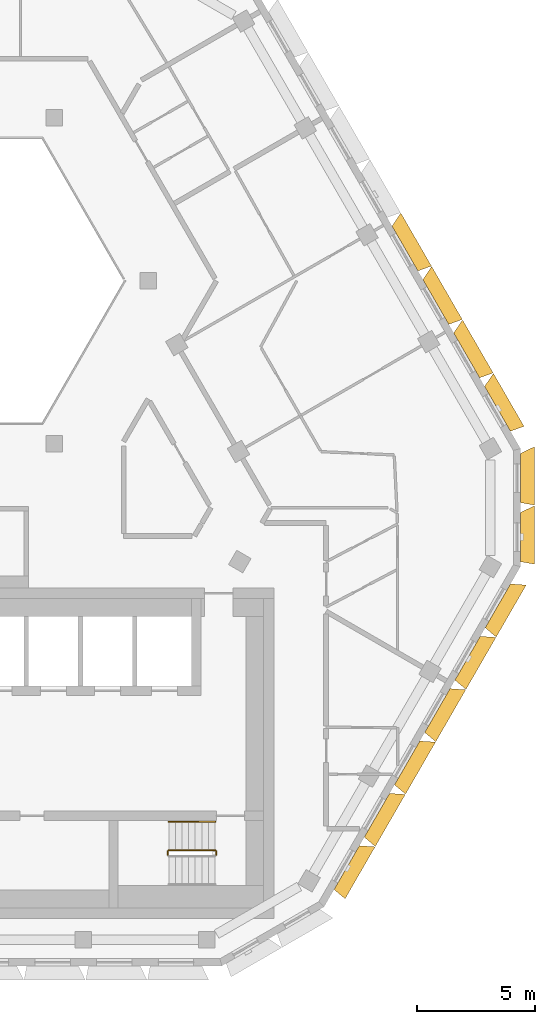
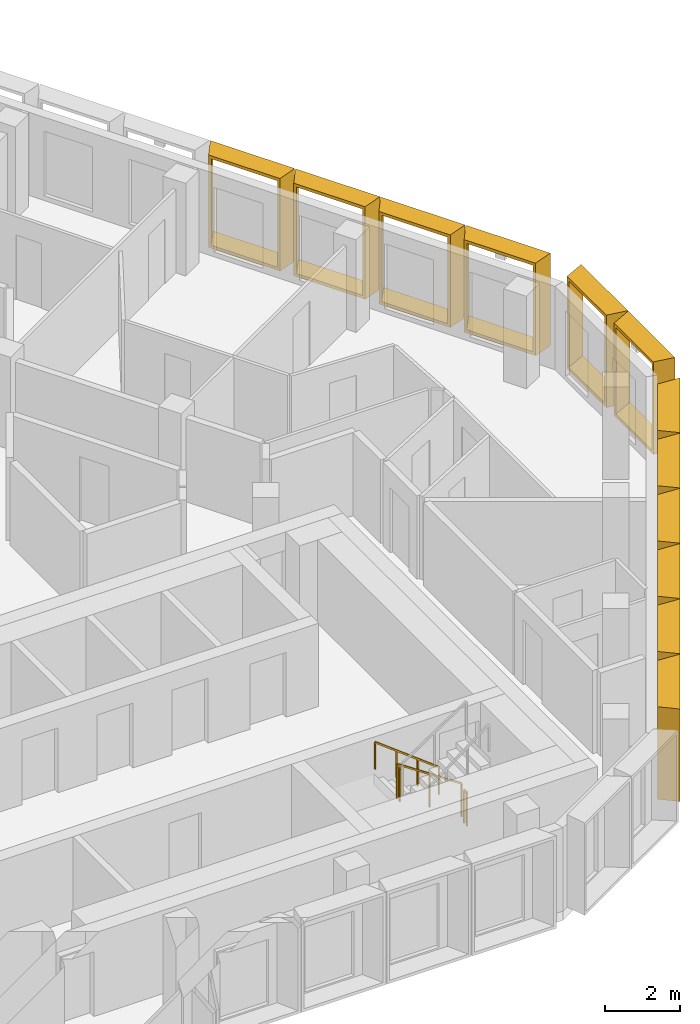
# One storey, part 15 of 16: 12 shading devices, 4 railings.
"""IFC4 building model written with IfcOpenShell, lengths in metres."""

from ifc_helpers import new_model, entity, si_unit, direction, frame, origin, origin_2d, place, context, subcontext, project, spatial, rectangle, extrude, source, transform, mapped, material, type_object, type_shapes, element, save


model = new_model("IFC4")

# Units and contexts
model_context = context("Model", 3, precision=1e-05, world=origin(), true_north=direction((0.0, 1.0)))
body_context = subcontext(model_context, "Body", "Model", "MODEL_VIEW")
ifc_project = project(units=[si_unit("LENGTHUNIT", "METRE"), si_unit("AREAUNIT", "SQUARE_METRE"), si_unit("VOLUMEUNIT", "CUBIC_METRE"), si_unit("PLANEANGLEUNIT", "RADIAN"), si_unit("MASSUNIT", "GRAM", prefix="KILO")], contexts=[model_context])

# Site, building, storey
site_placement = place(None, origin())
site = spatial("IfcSite", under=ifc_project, at=site_placement, CompositionType="ELEMENT")
building_placement = place(site_placement, origin())
building = spatial("IfcBuilding", under=site, at=building_placement, Name="Beryl Residences", CompositionType="ELEMENT")
storey_placement = place(building_placement, frame((0.0, 0.0, 208.800048828125)))
storey = spatial("IfcBuildingStorey", under=building, at=storey_placement, Name="L64", CompositionType="ELEMENT", Elevation=208.800048828125)

# Shading devices
ifc_material_1 = material(Name="Aluminium pale anodised", Category="aluminium")
shading_device_type_1 = type_object("IfcShadingDeviceType", Name="FR250-60C OUTER SKIN frame 600 mm deep, splay 10/26 deg, 2500 x 3000 mm cell", PredefinedType="USERDEFINED", material=ifc_material_1)
cartesian_point_1 = entity("IfcCartesianPoint", [-1.04052734375, 0.0])
cartesian_point_2 = entity("IfcCartesianPoint", [-0.959228515625, 0.10009765625])
cartesian_point_3 = entity("IfcCartesianPoint", [-1.146240234375, 0.0])
cartesian_point_4 = entity("IfcCartesianPoint", [-1.06494140625, 0.10009765625])
shared_shape_1 = source(origin(), body_context, "Body", "SweptSolid", [
    entity("IfcExtrudedAreaSolidTapered", entity("IfcArbitraryProfileDefWithVoids", "AREA", None, entity("IfcPolyline", [cartesian_point_1, entity("IfcCartesianPoint", [1.04052734375, 0.0]), entity("IfcCartesianPoint", [1.04052734375, 3.0]), entity("IfcCartesianPoint", [-1.04052734375, 3.0]), cartesian_point_1]), [entity("IfcPolyline", [cartesian_point_2, entity("IfcCartesianPoint", [0.951416015625, 0.10009765625]), entity("IfcCartesianPoint", [0.951416015625, 2.89990234375]), entity("IfcCartesianPoint", [-0.959228515625, 2.89990234375]), cartesian_point_2])]), entity("IfcAxis2Placement3D", entity("IfcCartesianPoint", [0.0, 0.0, 0.0]), entity("IfcDirection", [0.0, 1.0, 0.0]), entity("IfcDirection", [-1.0, 0.0, 0.0])), entity("IfcDirection", [0.0, 0.0, 1.0]), 0.60009765625, entity("IfcArbitraryProfileDefWithVoids", "AREA", None, entity("IfcPolyline", [cartesian_point_3, entity("IfcCartesianPoint", [1.333251953125, 0.0]), entity("IfcCartesianPoint", [1.333251953125, 3.0]), entity("IfcCartesianPoint", [-1.146240234375, 3.0]), cartesian_point_3]), [entity("IfcPolyline", [cartesian_point_4, entity("IfcCartesianPoint", [1.244140625, 0.10009765625]), entity("IfcCartesianPoint", [1.244140625, 2.89990234375]), entity("IfcCartesianPoint", [-1.06494140625, 2.89990234375]), cartesian_point_4])])),
])
type_shapes(shading_device_type_1, [shared_shape_1])
for number, where, z_axis, x_axis, name in (
    (1, (23.72900390625, -2.85009765625, 0.0), (0.0, 0.0, 1.0), (0.0, -1.0, 0.0), "FR250-60C frame L64 SE-NE 1"),
    (2, (23.72900390625, -0.35009765625, 0.0), (0.0, 0.0, 1.0), (0.0, -1.0, 0.0), "FR250-60C frame L64 SE-NE 2"),
):
    element("IfcShadingDevice", number, at=place(storey_placement, frame(where, z_axis=z_axis, x_axis=x_axis)), inside=storey, type_object=shading_device_type_1, Name=name, ObjectType="OUTER SKIN", PredefinedType="USERDEFINED", context=body_context, shape_type="MappedRepresentation", body=[
        mapped(shared_shape_1, transform((0.0, 0.0, 0.0))),
    ])
ifc_material_2 = material(Name="Aluminium pale anodised", Category="aluminium")
shading_device_type_2 = type_object("IfcShadingDeviceType", Name="FR256-60C OUTER SKIN frame 600 mm deep, splay 10/26 deg, 2560 x 3000 mm cell", PredefinedType="USERDEFINED", material=ifc_material_2)
cartesian_point_5 = entity("IfcCartesianPoint", [-1.070556640625, 0.0])
cartesian_point_6 = entity("IfcCartesianPoint", [-0.9892578125, 0.10009765625])
cartesian_point_7 = entity("IfcCartesianPoint", [-1.17626953125, 0.0])
cartesian_point_8 = entity("IfcCartesianPoint", [-1.094970703125, 0.10009765625])
shared_shape_2 = source(origin(), body_context, "Body", "SweptSolid", [
    entity("IfcExtrudedAreaSolidTapered", entity("IfcArbitraryProfileDefWithVoids", "AREA", None, entity("IfcPolyline", [cartesian_point_5, entity("IfcCartesianPoint", [1.070556640625, 0.0]), entity("IfcCartesianPoint", [1.070556640625, 3.0]), entity("IfcCartesianPoint", [-1.070556640625, 3.0]), cartesian_point_5]), [entity("IfcPolyline", [cartesian_point_6, entity("IfcCartesianPoint", [0.9814453125, 0.10009765625]), entity("IfcCartesianPoint", [0.9814453125, 2.89990234375]), entity("IfcCartesianPoint", [-0.9892578125, 2.89990234375]), cartesian_point_6])]), entity("IfcAxis2Placement3D", entity("IfcCartesianPoint", [0.0, 0.0, 0.0]), entity("IfcDirection", [0.0, 1.0, 0.0]), entity("IfcDirection", [-1.0, 0.0, 0.0])), entity("IfcDirection", [0.0, 0.0, 1.0]), 0.60009765625, entity("IfcArbitraryProfileDefWithVoids", "AREA", None, entity("IfcPolyline", [cartesian_point_7, entity("IfcCartesianPoint", [1.363037109375, 0.0]), entity("IfcCartesianPoint", [1.363037109375, 3.0]), entity("IfcCartesianPoint", [-1.17626953125, 3.0]), cartesian_point_7]), [entity("IfcPolyline", [cartesian_point_8, entity("IfcCartesianPoint", [1.274169921875, 0.10009765625]), entity("IfcCartesianPoint", [1.274169921875, 2.89990234375]), entity("IfcCartesianPoint", [-1.094970703125, 2.89990234375]), cartesian_point_8])])),
])
type_shapes(shading_device_type_2, [shared_shape_2])
for number, where, z_axis, x_axis, name in (
    (3, (16.373046875, -16.842041015625, 0.0), (0.0, 0.0, 1.0), (-0.5, -0.866025403784, 0.0), "FR256-60C frame L64 SE 1"),
    (4, (17.652099609375, -14.625, 0.0), (0.0, 0.0, 1.0), (-0.5, -0.866025403784, 0.0), "FR256-60C frame L64 SE 2"),
    (5, (18.931884765625, -12.408935546875, 0.0), (0.0, 0.0, 1.0), (-0.5, -0.866025403784, 0.0), "FR256-60C frame L64 SE 3"),
    (6, (20.2119140625, -10.19189453125, 0.0), (0.0, 0.0, 1.0), (-0.5, -0.866025403784, 0.0), "FR256-60C frame L64 SE 4"),
    (7, (21.490966796875, -7.97607421875, 0.0), (0.0, 0.0, 1.0), (-0.5, -0.866025403784, 0.0), "FR256-60C frame L64 SE 5"),
    (8, (22.77099609375, -5.759033203125, 0.0), (0.0, 0.0, 1.0), (-0.5, -0.866025403784, 0.0), "FR256-60C frame L64 SE 6"),
):
    element("IfcShadingDevice", number, at=place(storey_placement, frame(where, z_axis=z_axis, x_axis=x_axis)), inside=storey, type_object=shading_device_type_2, Name=name, ObjectType="OUTER SKIN", PredefinedType="USERDEFINED", context=body_context, shape_type="MappedRepresentation", body=[
        mapped(shared_shape_2, transform((0.0, 0.0, 0.0))),
    ])
ifc_material_3 = material(Name="Aluminium pale anodised", Category="aluminium")
shading_device_type_3 = type_object("IfcShadingDeviceType", Name="FR261-60C OUTER SKIN frame 600 mm deep, splay 10/26 deg, 2610 x 3000 mm cell", PredefinedType="USERDEFINED", material=ifc_material_3)
cartesian_point_9 = entity("IfcCartesianPoint", [-1.095458984375, 0.0])
cartesian_point_10 = entity("IfcCartesianPoint", [-1.01416015625, 0.10009765625])
cartesian_point_11 = entity("IfcCartesianPoint", [-1.201416015625, 0.0])
cartesian_point_12 = entity("IfcCartesianPoint", [-1.1201171875, 0.10009765625])
shared_shape_3 = source(origin(), body_context, "Body", "SweptSolid", [
    entity("IfcExtrudedAreaSolidTapered", entity("IfcArbitraryProfileDefWithVoids", "AREA", None, entity("IfcPolyline", [cartesian_point_9, entity("IfcCartesianPoint", [1.095458984375, 0.0]), entity("IfcCartesianPoint", [1.095458984375, 3.0]), entity("IfcCartesianPoint", [-1.095458984375, 3.0]), cartesian_point_9]), [entity("IfcPolyline", [cartesian_point_10, entity("IfcCartesianPoint", [1.006591796875, 0.10009765625]), entity("IfcCartesianPoint", [1.006591796875, 2.89990234375]), entity("IfcCartesianPoint", [-1.01416015625, 2.89990234375]), cartesian_point_10])]), entity("IfcAxis2Placement3D", entity("IfcCartesianPoint", [0.0, 0.0, 0.0]), entity("IfcDirection", [0.0, 1.0, 0.0]), entity("IfcDirection", [-1.0, 0.0, 0.0])), entity("IfcDirection", [0.0, 0.0, 1.0]), 0.60009765625, entity("IfcArbitraryProfileDefWithVoids", "AREA", None, entity("IfcPolyline", [cartesian_point_11, entity("IfcCartesianPoint", [1.38818359375, 0.0]), entity("IfcCartesianPoint", [1.38818359375, 3.0]), entity("IfcCartesianPoint", [-1.201416015625, 3.0]), cartesian_point_11]), [entity("IfcPolyline", [cartesian_point_12, entity("IfcCartesianPoint", [1.299072265625, 0.10009765625]), entity("IfcCartesianPoint", [1.299072265625, 2.89990234375]), entity("IfcCartesianPoint", [-1.1201171875, 2.89990234375]), cartesian_point_12])])),
])
type_shapes(shading_device_type_3, [shared_shape_3])
for number, where, z_axis, x_axis, name in (
    (9, (22.758056640625, 2.5810546875, 0.0), (0.0, 0.0, 1.0), (0.5, -0.866025403784, 0.0), "FR261-60C frame L64 NE 1"),
    (10, (21.450927734375, 4.843994140625, 0.0), (0.0, 0.0, 1.0), (0.5, -0.866025403784, 0.0), "FR261-60C frame L64 NE 2"),
    (11, (20.14501953125, 7.10595703125, 0.0), (0.0, 0.0, 1.0), (0.5, -0.866025403784, 0.0), "FR261-60C frame L64 NE 3"),
    (12, (18.839111328125, 9.368896484375, 0.0), (0.0, 0.0, 1.0), (0.5, -0.866025403784, 0.0), "FR261-60C frame L64 NE 4"),
):
    element("IfcShadingDevice", number, at=place(storey_placement, frame(where, z_axis=z_axis, x_axis=x_axis)), inside=storey, type_object=shading_device_type_3, Name=name, ObjectType="OUTER SKIN", PredefinedType="USERDEFINED", context=body_context, shape_type="MappedRepresentation", body=[
        mapped(shared_shape_3, transform((0.0, 0.0, 0.0))),
    ])

# Railings
ifc_material_4 = material(Name="Stainless steel balustrade with glass infill", Category="steel")
railing_type_1 = type_object("IfcRailingType", Name="SG1 stair guard 1100 mm", PredefinedType="GUARDRAIL", material=ifc_material_4)
railing_1_placement = place(storey_placement, frame((10.800048828125, -16.10009765625, 0.1875)))
element("IfcRailing", 13, at=railing_1_placement, inside=storey, type_object=railing_type_1, Name="L64 ST-3 stair guard 1", PredefinedType="GUARDRAIL", context=body_context, shape_type="SweptSolid", body=[
    extrude(rectangle(XDim=0.048095703125, YDim=0.048095703125, at=origin_2d()), frame((0.0, 0.0, 1.076171875), z_axis=(-0.830902050051, 0.0, 0.556418712142), x_axis=(0.0, -1.0, 0.0)), (0.0, 0.0, 1.0), 2.35888671875),
    extrude(rectangle(XDim=0.0419921875, YDim=0.0419921875, at=origin_2d()), origin(), (0.0, 0.0, 1.0), 1.052001953125),
    extrude(rectangle(XDim=0.0419921875, YDim=0.0419921875, at=origin_2d()), frame((-0.97998046875, 0.0, 0.65625)), (0.0, 0.0, 1.0), 1.052001953125),
    extrude(rectangle(XDim=0.0419921875, YDim=0.0419921875, at=origin_2d()), frame((-1.9599609375, 0.0, 1.3125)), (0.0, 0.0, 1.0), 1.052001953125),
])
for number, where, name in (
    (14, (8.7900390625, -16.14990234375, 1.5), "L64 ST-3 stair guard 2"),
    (15, (10.85009765625, -16.14990234375, 0.0), "L64 ST-3 stair guard 4"),
):
    element("IfcRailing", number, at=place(storey_placement, frame(where)), inside=storey, type_object=railing_type_1, Name=name, PredefinedType="GUARDRAIL", context=body_context, shape_type="SweptSolid", body=[
        extrude(rectangle(XDim=0.048095703125, YDim=0.048095703125, at=origin_2d()), frame((0.0, 0.0, 1.076171875), z_axis=(0.0, -1.0, 0.0), x_axis=(1.0, 0.0, 0.0)), (0.0, 0.0, 1.0), 0.150146484375),
        extrude(rectangle(XDim=0.0419921875, YDim=0.0419921875, at=origin_2d()), origin(), (0.0, 0.0, 1.0), 1.052001953125),
        extrude(rectangle(XDim=0.0419921875, YDim=0.0419921875, at=origin_2d()), frame((0.0, -0.150146484375, 0.0)), (0.0, 0.0, 1.0), 1.052001953125),
    ])
ifc_material_5 = material(Name="Stainless steel handrail", Category="steel")
railing_type_2 = type_object("IfcRailingType", Name="SRL1 stair handrail 900 mm", PredefinedType="HANDRAIL", material=ifc_material_5)
railing_2_placement = place(storey_placement, frame((10.800048828125, -14.89990234375, 0.1875)))
element("IfcRailing", 16, at=railing_2_placement, inside=storey, type_object=railing_type_2, Name="L64 ST-3 stair handrail 1", PredefinedType="HANDRAIL", context=body_context, shape_type="SweptSolid", body=[
    extrude(rectangle(XDim=0.048095703125, YDim=0.048095703125, at=origin_2d()), frame((0.0, 0.0, 0.8759765625), z_axis=(-0.794121922505, 0.0, 0.607758481798), x_axis=(0.0, -1.0, 0.0)), (0.0, 0.0, 1.0), 2.468017578125),
    extrude(rectangle(XDim=0.0419921875, YDim=0.0419921875, at=origin_2d()), origin(), (0.0, 0.0, 1.0), 0.851806640625),
    extrude(rectangle(XDim=0.0419921875, YDim=0.0419921875, at=origin_2d()), frame((-0.6533203125, 0.0, 0.5)), (0.0, 0.0, 1.0), 0.851806640625),
    extrude(rectangle(XDim=0.0419921875, YDim=0.0419921875, at=origin_2d()), frame((-1.306640625, 0.0, 1.0)), (0.0, 0.0, 1.0), 0.851806640625),
    extrude(rectangle(XDim=0.0419921875, YDim=0.0419921875, at=origin_2d()), frame((-1.9599609375, 0.0, 1.5)), (0.0, 0.0, 1.0), 0.851806640625),
])

save(model, "model.ifc")
